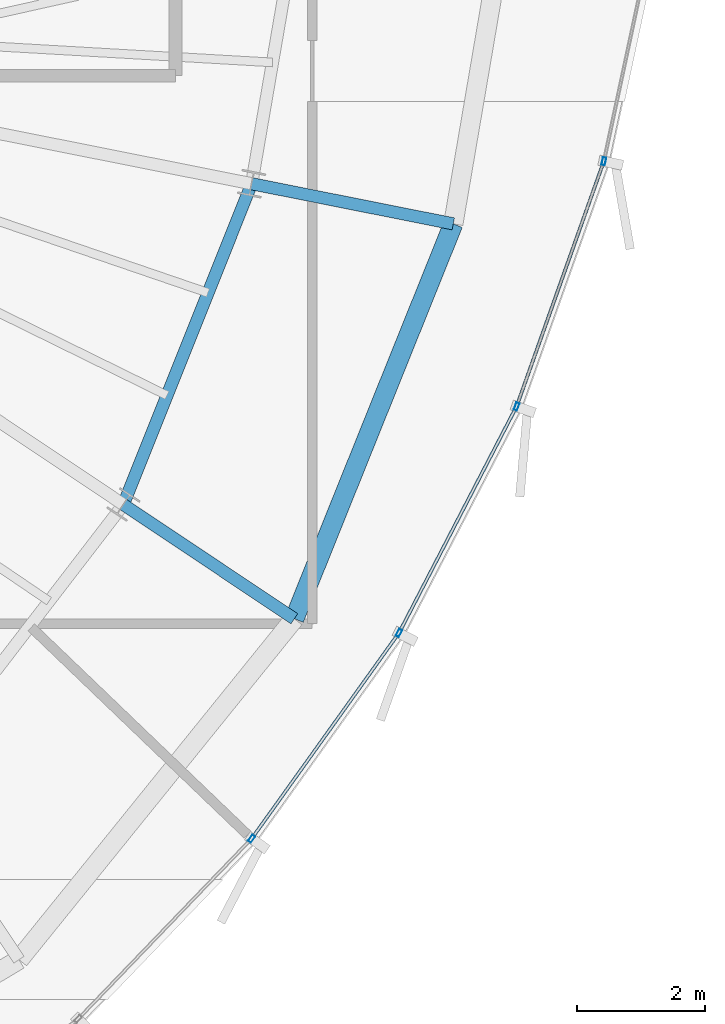
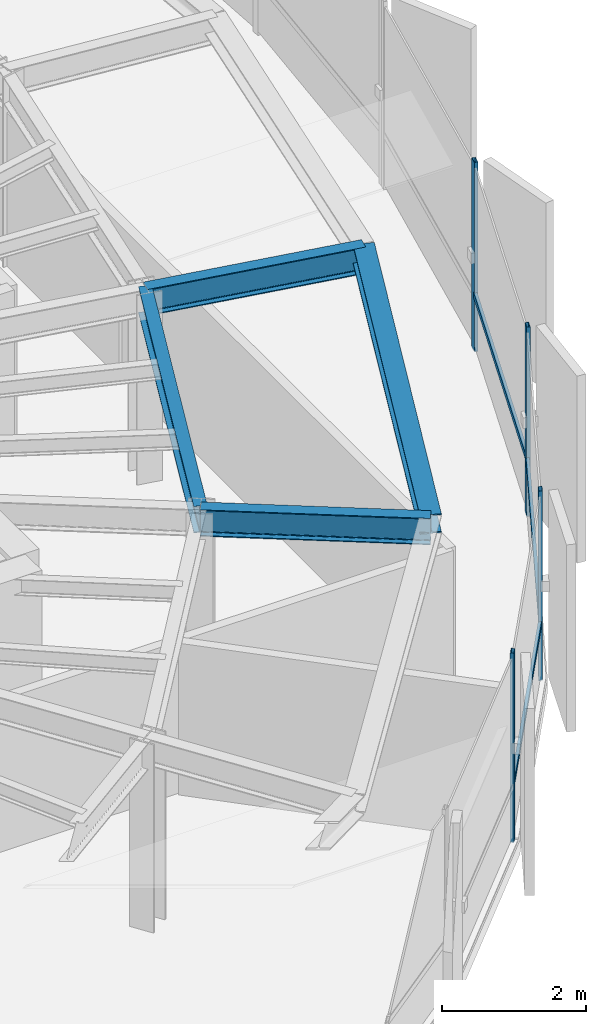
# One storey, part 13 of 31: 7 members, 4 beams, 1 element without a shape of its own.
"""IFC4 building model written with IfcOpenShell, lengths in metres."""

from ifc_helpers import new_model, si_unit, direction, frame, origin, origin_2d, place, context, subcontext, project, spatial, hollow_rectangle, i_section, extrude, source, transform, mapped, material, layer, layer_set, material_profile, profile_set, type_object, element, aggregate, save


model = new_model("IFC4")

# Units and contexts
model_context = context("Model", 3, precision=1e-05, world=origin(), true_north=direction((0.0, 1.0)))
body_context = subcontext(model_context, "Body", "Model", "MODEL_VIEW")
ifc_project = project(units=[si_unit("LENGTHUNIT", "METRE"), si_unit("AREAUNIT", "SQUARE_METRE"), si_unit("VOLUMEUNIT", "CUBIC_METRE"), si_unit("PLANEANGLEUNIT", "RADIAN"), si_unit("MASSUNIT", "GRAM", prefix="KILO"), si_unit("THERMODYNAMICTEMPERATUREUNIT", "KELVIN")], contexts=[model_context])

# Site, building, storey
site_placement = place(None, origin())
site = spatial("IfcSite", under=ifc_project, at=site_placement, CompositionType="ELEMENT")
building_placement = place(site_placement, origin())
building = spatial("IfcBuilding", under=site, at=building_placement, Name="Kethvar Cultural Tower", CompositionType="ELEMENT")
storey_placement = place(building_placement, frame((0.0, 0.0, 269.800048828125)))
storey = spatial("IfcBuildingStorey", under=building, at=storey_placement, Name="L71", CompositionType="ELEMENT", Elevation=269.800048828125)

# Beams
ifc_material_1 = material(Name="Steel S355J2", Category="steel")
ifc_material_profile_1 = material_profile(ifc_material_1, i_section(OverallWidth=0.18994140625, OverallDepth=0.449951171875, WebThickness=0.009521484375, FlangeThickness=0.0146484375, FilletRadius=0.02099609375, at=origin_2d()), Name="Steel S355J2 — IPE450")
ifc_profile_set_1 = profile_set([ifc_material_profile_1], Name="Steel S355J2 — IPE450")
beam_type_1 = type_object("IfcBeamType", Name="BM-IPE450", PredefinedType="BEAM", material=ifc_profile_set_1)
shared_shape_1 = source(origin(), body_context, "Body", "SweptSolid", [
    extrude(i_section(OverallWidth=0.18994140625, OverallDepth=0.449951171875, WebThickness=0.009521484375, FlangeThickness=0.0146484375, FilletRadius=0.02099609375, at=origin_2d()), origin(), (0.0, 0.0, 1.0), 3.199951171875),
])
for number, where, z_axis, x_axis, name in (
    (1, (58.287109375, 20.12451171875, 2.98291015625), (0.831462943996, -0.555580212716, 0.0), (0.555580212716, 0.831462943996, 0.0), "L71 Perimeter Cantilever Beam RC-15"),
    (2, (60.28369140625, 25.117919921875, 2.98291015625), (0.980785550224, -0.195088965533, 0.0), (0.195088965533, 0.980785550224, 0.0), "L71 Perimeter Cantilever Beam RC-16"),
):
    element("IfcBeam", number, at=place(storey_placement, frame(where, z_axis=z_axis, x_axis=x_axis)), inside=storey, type_object=beam_type_1, Name=name, PredefinedType="BEAM", context=body_context, shape_type="MappedRepresentation", body=[
        mapped(shared_shape_1, transform((0.0, 0.0, 0.0), scale=1.0)),
    ])
shared_shape_2 = source(origin(), body_context, "Body", "SweptSolid", [
    extrude(i_section(OverallWidth=0.18994140625, OverallDepth=0.449951171875, WebThickness=0.009521484375, FlangeThickness=0.0146484375, FilletRadius=0.02099609375, at=origin_2d()), origin(), (0.0, 0.0, 1.0), 5.377685546875),
])
beam_1_placement = place(storey_placement, frame((58.287109375, 20.12451171875, 2.98291015625), z_axis=(0.371265436914, 0.928526776864, 0.0), x_axis=(-0.928526776864, 0.371265436914, 0.0)))
element("IfcBeam", 3, at=beam_1_placement, inside=storey, type_object=beam_type_1, Name="L71 Column Ring Tie Beam CR-15", PredefinedType="BEAM", context=body_context, shape_type="MappedRepresentation", body=[
    mapped(shared_shape_2, transform((0.0, 0.0, 0.0), scale=1.0)),
])
ifc_material_profile_2 = material_profile(ifc_material_1, i_section(OverallWidth=0.300048828125, OverallDepth=0.320068359375, WebThickness=0.011474609375, FlangeThickness=0.0205078125, FilletRadius=0.027099609375, at=origin_2d()), Name="Steel S355J2 — HEB320")
ifc_profile_set_2 = profile_set([ifc_material_profile_2], Name="Steel S355J2 — HEB320")
beam_type_2 = type_object("IfcBeamType", Name="BM-SP320", PredefinedType="SPANDREL", material=ifc_profile_set_2)
shared_shape_3 = source(origin(), body_context, "Body", "SweptSolid", [
    extrude(i_section(OverallWidth=0.300048828125, OverallDepth=0.320068359375, WebThickness=0.011474609375, FlangeThickness=0.0205078125, FilletRadius=0.027099609375, at=origin_2d()), origin(), (0.0, 0.0, 1.0), 6.626220703125),
])
beam_2_placement = place(storey_placement, frame((60.94775390625, 18.3466796875, 3.0478515625), z_axis=(0.373416224197, 0.927663906545, 0.0), x_axis=(-0.927663906545, 0.373416224197, 0.0)))
element("IfcBeam", 4, at=beam_2_placement, inside=storey, type_object=beam_type_2, Name="L71 Perimeter Spandrel Beam SP-15", PredefinedType="SPANDREL", context=body_context, shape_type="MappedRepresentation", body=[
    mapped(shared_shape_3, transform((0.0, 0.0, 0.0), scale=1.0)),
])

# Curtain wall, members
ifc_material_2 = material(Name="Aluminium 6063-T6", Category="aluminium")
ifc_layer = layer(ifc_material_2, 0.179931640625, Name="Aluminium 6063-T6", Category="aluminium")
ifc_layer_set = layer_set([ifc_layer], Name="Aluminium 6063-T6 (180 mm)")
curtain_wall_type = type_object("IfcCurtainWallType", Name="CW-SYS-05-Z56", PredefinedType="NOTDEFINED", material=ifc_layer_set)
curtain_wall_placement = place(storey_placement, origin())
curtain_wall = element("IfcCurtainWall", 5, at=curtain_wall_placement, inside=storey, type_object=curtain_wall_type, Name="L71 Curtain Wall Run 05", PredefinedType="NOTDEFINED")
ifc_material_profile_3 = material_profile(ifc_material_2, hollow_rectangle(XDim=0.054931640625, YDim=0.1201171875, WallThickness=0.00390625, at=origin_2d()), Name="Aluminium 6063-T6 — RHS120x55x4")
ifc_profile_set_3 = profile_set([ifc_material_profile_3], Name="Aluminium 6063-T6 — RHS120x55x4")
member_type_1 = type_object("IfcMemberType", Name="CW-SYS-05-Z56-MUL", PredefinedType="MULLION", material=ifc_profile_set_3)
shared_shape_4 = source(origin(), body_context, "Body", "SweptSolid", [
    extrude(hollow_rectangle(XDim=0.054931640625, YDim=0.1201171875, WallThickness=0.00390625, at=origin_2d()), origin(), (0.0, 0.0, 1.0), 3.2099609375),
])
member_1_placement = place(storey_placement, frame((60.283203125, 14.923095703125, 0.0), z_axis=(0.0, 0.0, 1.0), x_axis=(-0.813080440627, 0.582151352373, 0.0)))
member_1 = element("IfcMember", 6, at=member_1_placement, type_object=member_type_1, Name="CW-L71-R05 Mullion 3", PredefinedType="MULLION", context=body_context, shape_type="MappedRepresentation", body=[
    mapped(shared_shape_4, transform((0.0, 0.0, 0.0), scale=1.0)),
])
member_2_placement = place(storey_placement, frame((62.576171875, 18.1240234375, 0.0), z_axis=(0.0, 0.0, 1.0), x_axis=(-0.887534099456, 0.460742034444, 0.0)))
member_2 = element("IfcMember", 7, at=member_2_placement, type_object=member_type_1, Name="CW-L71-R05 Mullion 4", PredefinedType="MULLION", context=body_context, shape_type="MappedRepresentation", body=[
    mapped(shared_shape_4, transform((0.0, 0.0, 0.0), scale=1.0)),
])
member_3_placement = place(storey_placement, frame((64.40771484375, 21.649658203125, 0.0), z_axis=(0.0, 0.0, 1.0), x_axis=(-0.942156941803, 0.335172040916, 0.0)))
member_3 = element("IfcMember", 8, at=member_3_placement, type_object=member_type_1, Name="CW-L71-R05 Mullion 5", PredefinedType="MULLION", context=body_context, shape_type="MappedRepresentation", body=[
    mapped(shared_shape_4, transform((0.0, 0.0, 0.0), scale=1.0)),
])
member_4_placement = place(storey_placement, frame((65.7666015625, 25.467529296875, 0.0), z_axis=(0.0, 0.0, 1.0), x_axis=(-0.977834427046, 0.209379639133, 0.0)))
member_4 = element("IfcMember", 9, at=member_4_placement, type_object=member_type_1, Name="CW-L71-R05 Mullion 6", PredefinedType="MULLION", context=body_context, shape_type="MappedRepresentation", body=[
    mapped(shared_shape_4, transform((0.0, 0.0, 0.0), scale=1.0)),
])
ifc_material_profile_4 = material_profile(ifc_material_2, hollow_rectangle(XDim=0.050048828125, YDim=0.10009765625, WallThickness=0.00390625, at=origin_2d()), Name="Aluminium 6063-T6 — RHS100x50x4")
ifc_profile_set_4 = profile_set([ifc_material_profile_4], Name="Aluminium 6063-T6 — RHS100x50x4")
member_type_2 = type_object("IfcMemberType", Name="CW-SYS-05-Z56-TRN", PredefinedType="USERDEFINED", material=ifc_profile_set_4)
shared_shape_5 = source(origin(), body_context, "Body", "SweptSolid", [
    extrude(hollow_rectangle(XDim=0.050048828125, YDim=0.10009765625, WallThickness=0.00390625, at=origin_2d()), origin(), (0.0, 0.0, 1.0), 3.907470703125),
])
member_5_placement = place(storey_placement, frame((62.594482421875, 18.1591796875, 0.949951171875), z_axis=(0.460732931687, 0.887538824874, 0.0), x_axis=(-0.887538824874, 0.460732931687, 0.0)))
member_5 = element("IfcMember", 10, at=member_5_placement, type_object=member_type_2, Name="CW-L71-R05 Transom 4", ObjectType="TRANSOM", PredefinedType="USERDEFINED", context=body_context, shape_type="MappedRepresentation", body=[
    mapped(shared_shape_5, transform((0.0, 0.0, 0.0), scale=1.0)),
])
shared_shape_6 = source(origin(), body_context, "Body", "SweptSolid", [
    extrude(hollow_rectangle(XDim=0.050048828125, YDim=0.10009765625, WallThickness=0.00390625, at=origin_2d()), origin(), (0.0, 0.0, 1.0), 3.872314453125),
])
member_6_placement = place(storey_placement, frame((60.306396484375, 14.955322265625, 0.949951171875), z_axis=(0.582108584625, 0.813111059884, 0.0), x_axis=(-0.813111059884, 0.582108584625, 0.0)))
member_6 = element("IfcMember", 11, at=member_6_placement, type_object=member_type_2, Name="CW-L71-R05 Transom 3", ObjectType="TRANSOM", PredefinedType="USERDEFINED", context=body_context, shape_type="MappedRepresentation", body=[
    mapped(shared_shape_6, transform((0.0, 0.0, 0.0), scale=1.0)),
])
shared_shape_7 = source(origin(), body_context, "Body", "SweptSolid", [
    extrude(hollow_rectangle(XDim=0.050048828125, YDim=0.10009765625, WallThickness=0.00390625, at=origin_2d()), origin(), (0.0, 0.0, 1.0), 3.986572265625),
])
member_7_placement = place(storey_placement, frame((64.4208984375, 21.68701171875, 0.949951171875), z_axis=(0.335180018799, 0.942154103636, 0.0), x_axis=(-0.942154103636, 0.335180018799, 0.0)))
member_7 = element("IfcMember", 12, at=member_7_placement, type_object=member_type_2, Name="CW-L71-R05 Transom 5", ObjectType="TRANSOM", PredefinedType="USERDEFINED", context=body_context, shape_type="MappedRepresentation", body=[
    mapped(shared_shape_7, transform((0.0, 0.0, 0.0), scale=1.0)),
])
aggregate(curtain_wall, [member_1, member_2, member_3, member_4, member_6, member_5, member_7])

save(model, "model.ifc")
